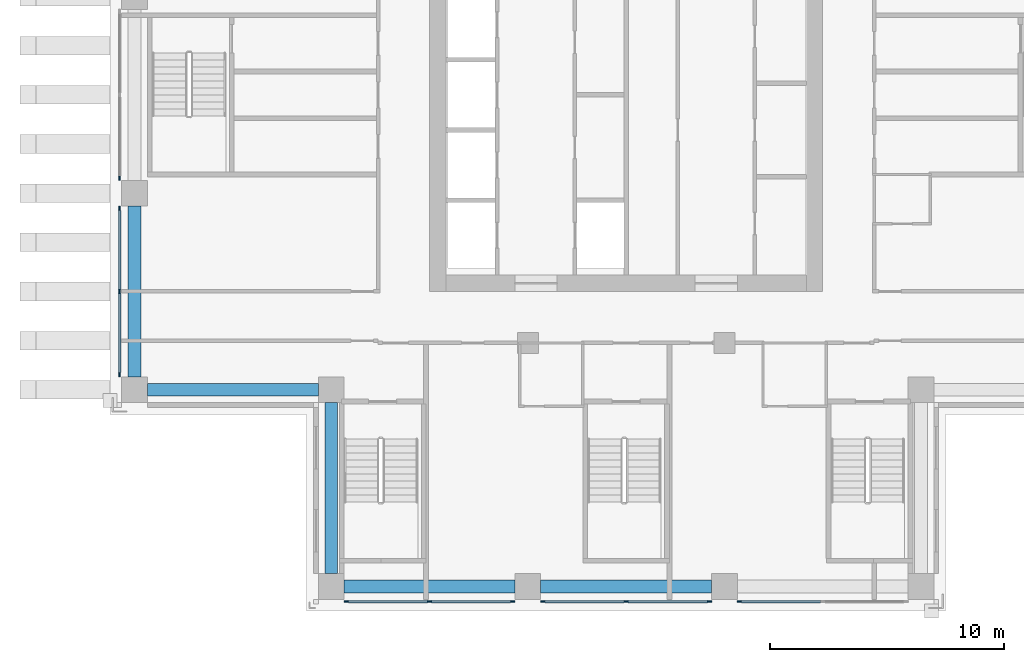
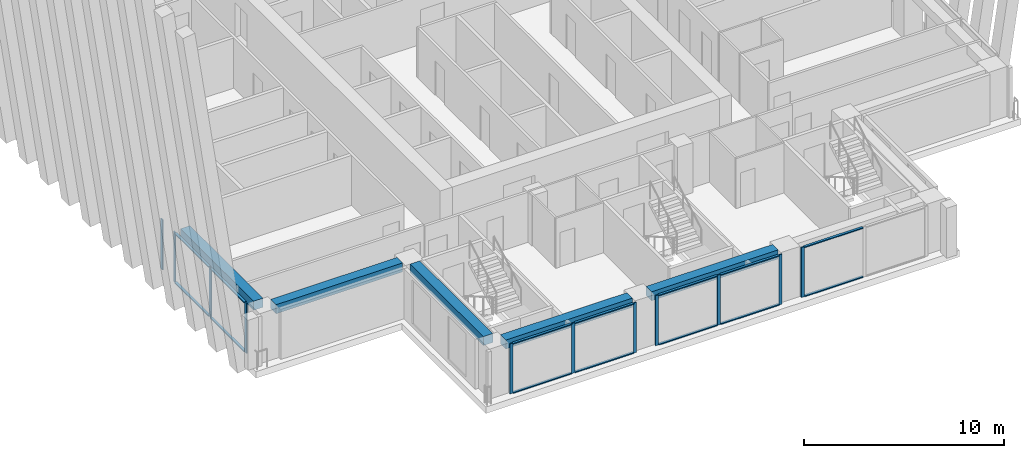
# One storey, part 2 of 15: 25 members, 5 beams, 5 elements without a shape of their own.
"""IFC4 building model written with IfcOpenShell, lengths in metres."""

from ifc_helpers import new_model, si_unit, direction, frame, origin, origin_2d, place, context, subcontext, project, spatial, rectangle, extrude, material, material_profile, profile_set, type_object, element, aggregate, save


model = new_model("IFC4")

# Units and contexts
model_context = context("Model", 3, precision=1e-05, world=origin(), true_north=direction((0.0, 1.0)))
body_context = subcontext(model_context, "Body", "Model", "MODEL_VIEW")
ifc_project = project(units=[si_unit("LENGTHUNIT", "METRE"), si_unit("AREAUNIT", "SQUARE_METRE"), si_unit("VOLUMEUNIT", "CUBIC_METRE"), si_unit("PLANEANGLEUNIT", "RADIAN"), si_unit("MASSUNIT", "GRAM", prefix="KILO")], contexts=[model_context])

# Site, building, storey
site_placement = place(None, origin())
site = spatial("IfcSite", under=ifc_project, at=site_placement, CompositionType="ELEMENT")
building_placement = place(site_placement, origin())
building = spatial("IfcBuilding", under=site, at=building_placement, Name="Vermilion Ogive Tower", CompositionType="ELEMENT")
storey_placement = place(building_placement, frame((0.0, 0.0, 153.800048828125)))
storey = spatial("IfcBuildingStorey", under=building, at=storey_placement, Name="L39", CompositionType="ELEMENT", Elevation=153.800048828125)

# Curtain wall, members
ifc_material_1 = material(Name="Low-iron laminated glazing in aluminium frame", Category="aluminium")
curtain_wall_type = type_object("IfcCurtainWallType", Name="Curtain wall CW7", PredefinedType="NOTDEFINED", material=ifc_material_1)
curtain_wall_1_placement = place(storey_placement, origin())
curtain_wall_1 = element("IfcCurtainWall", 1, at=curtain_wall_1_placement, inside=storey, type_object=curtain_wall_type, Name="Glazed skin S1", PredefinedType="NOTDEFINED")
ifc_material_2 = material(Name="Aluminium mullion", Category="aluminium")
ifc_material_profile_1 = material_profile(ifc_material_2, rectangle(XDim=0.06005859375, YDim=0.179931640625, at=origin_2d()), Name="AL 60x180")
ifc_profile_set_1 = profile_set([ifc_material_profile_1], Name="Aluminium mullion")
member_type_1 = type_object("IfcMemberType", Name="CW7 mullion 60x180", PredefinedType="MULLION", material=ifc_profile_set_1)
member_1_placement = place(storey_placement, frame((-11.9599609375, -21.64990234375, 0.0), z_axis=(0.0, 0.0, 1.0), x_axis=(0.0, 1.0, 0.0)))
member_1 = element("IfcMember", 2, at=member_1_placement, type_object=member_type_1, Name="CW7-S1 mullion 1", PredefinedType="MULLION", context=body_context, shape_type="SweptSolid", body=[
    extrude(rectangle(XDim=0.06005859375, YDim=0.179931640625, at=origin_2d()), origin(), (0.0, 0.0, 1.0), 3.050048828125),
])
member_2_placement = place(storey_placement, frame((-8.39990234375, -21.64990234375, 0.0), z_axis=(0.0, 0.0, 1.0), x_axis=(0.0, 1.0, 0.0)))
member_2 = element("IfcMember", 3, at=member_2_placement, type_object=member_type_1, Name="CW7-S1 mullion 2", PredefinedType="MULLION", context=body_context, shape_type="SweptSolid", body=[
    extrude(rectangle(XDim=0.06005859375, YDim=0.179931640625, at=origin_2d()), origin(), (0.0, 0.0, 1.0), 3.050048828125),
])
member_3_placement = place(storey_placement, frame((-4.840087890625, -21.64990234375, 0.0), z_axis=(0.0, 0.0, 1.0), x_axis=(0.0, 1.0, 0.0)))
member_3 = element("IfcMember", 4, at=member_3_placement, type_object=member_type_1, Name="CW7-S1 mullion 3", PredefinedType="MULLION", context=body_context, shape_type="SweptSolid", body=[
    extrude(rectangle(XDim=0.06005859375, YDim=0.179931640625, at=origin_2d()), origin(), (0.0, 0.0, 1.0), 3.050048828125),
])

curtain_wall_2_placement = place(storey_placement, origin())
curtain_wall_2 = element("IfcCurtainWall", 5, at=curtain_wall_2_placement, inside=storey, type_object=curtain_wall_type, Name="Glazed skin S2", PredefinedType="NOTDEFINED")
member_4_placement = place(storey_placement, frame((-3.56005859375, -21.64990234375, 0.0), z_axis=(0.0, 0.0, 1.0), x_axis=(0.0, 1.0, 0.0)))
member_4 = element("IfcMember", 6, at=member_4_placement, type_object=member_type_1, Name="CW7-S2 mullion 1", PredefinedType="MULLION", context=body_context, shape_type="SweptSolid", body=[
    extrude(rectangle(XDim=0.06005859375, YDim=0.179931640625, at=origin_2d()), origin(), (0.0, 0.0, 1.0), 3.050048828125),
])
member_5_placement = place(storey_placement, frame((0.0, -21.64990234375, 0.0), z_axis=(0.0, 0.0, 1.0), x_axis=(0.0, 1.0, 0.0)))
member_5 = element("IfcMember", 7, at=member_5_placement, type_object=member_type_1, Name="CW7-S2 mullion 2", PredefinedType="MULLION", context=body_context, shape_type="SweptSolid", body=[
    extrude(rectangle(XDim=0.06005859375, YDim=0.179931640625, at=origin_2d()), origin(), (0.0, 0.0, 1.0), 3.050048828125),
])
member_6_placement = place(storey_placement, frame((3.56005859375, -21.64990234375, 0.0), z_axis=(0.0, 0.0, 1.0), x_axis=(0.0, 1.0, 0.0)))
member_6 = element("IfcMember", 8, at=member_6_placement, type_object=member_type_1, Name="CW7-S2 mullion 3", PredefinedType="MULLION", context=body_context, shape_type="SweptSolid", body=[
    extrude(rectangle(XDim=0.06005859375, YDim=0.179931640625, at=origin_2d()), origin(), (0.0, 0.0, 1.0), 3.050048828125),
])

# Curtain wall, member
curtain_wall_3_placement = place(storey_placement, origin())
curtain_wall_3 = element("IfcCurtainWall", 9, at=curtain_wall_3_placement, inside=storey, type_object=curtain_wall_type, Name="Glazed skin S3", PredefinedType="NOTDEFINED")
member_7_placement = place(storey_placement, frame((4.840087890625, -21.64990234375, 0.0), z_axis=(0.0, 0.0, 1.0), x_axis=(0.0, 1.0, 0.0)))
member_7 = element("IfcMember", 10, at=member_7_placement, type_object=member_type_1, Name="CW7-S3 mullion 1", PredefinedType="MULLION", context=body_context, shape_type="SweptSolid", body=[
    extrude(rectangle(XDim=0.06005859375, YDim=0.179931640625, at=origin_2d()), origin(), (0.0, 0.0, 1.0), 3.050048828125),
])

curtain_wall_4_placement = place(storey_placement, origin())
curtain_wall_4 = element("IfcCurtainWall", 11, at=curtain_wall_4_placement, inside=storey, type_object=curtain_wall_type, Name="Glazed skin W2", PredefinedType="NOTDEFINED")
member_8_placement = place(storey_placement, frame((-21.64990234375, -3.56005859375, 0.0), z_axis=(0.0, 0.0, 1.0), x_axis=(1.0, 0.0, 0.0)))
member_8 = element("IfcMember", 12, at=member_8_placement, type_object=member_type_1, Name="CW7-W2 mullion 3", PredefinedType="MULLION", context=body_context, shape_type="SweptSolid", body=[
    extrude(rectangle(XDim=0.06005859375, YDim=0.179931640625, at=origin_2d()), origin(), (0.0, 0.0, 1.0), 3.050048828125),
])
aggregate(curtain_wall_4, [member_8])

# Curtain wall, members
curtain_wall_5_placement = place(storey_placement, origin())
curtain_wall_5 = element("IfcCurtainWall", 13, at=curtain_wall_5_placement, inside=storey, type_object=curtain_wall_type, Name="Glazed skin W3", PredefinedType="NOTDEFINED")
member_9_placement = place(storey_placement, frame((-21.64990234375, -4.840087890625, 0.0), z_axis=(0.0, 0.0, 1.0), x_axis=(1.0, 0.0, 0.0)))
member_9 = element("IfcMember", 14, at=member_9_placement, type_object=member_type_1, Name="CW7-W3 mullion 1", PredefinedType="MULLION", context=body_context, shape_type="SweptSolid", body=[
    extrude(rectangle(XDim=0.06005859375, YDim=0.179931640625, at=origin_2d()), origin(), (0.0, 0.0, 1.0), 3.050048828125),
])
member_10_placement = place(storey_placement, frame((-21.64990234375, -8.39990234375, 0.0), z_axis=(0.0, 0.0, 1.0), x_axis=(1.0, 0.0, 0.0)))
member_10 = element("IfcMember", 15, at=member_10_placement, type_object=member_type_1, Name="CW7-W3 mullion 2", PredefinedType="MULLION", context=body_context, shape_type="SweptSolid", body=[
    extrude(rectangle(XDim=0.06005859375, YDim=0.179931640625, at=origin_2d()), origin(), (0.0, 0.0, 1.0), 3.050048828125),
])
member_11_placement = place(storey_placement, frame((-21.64990234375, -11.9599609375, 0.0), z_axis=(0.0, 0.0, 1.0), x_axis=(1.0, 0.0, 0.0)))
member_11 = element("IfcMember", 16, at=member_11_placement, type_object=member_type_1, Name="CW7-W3 mullion 3", PredefinedType="MULLION", context=body_context, shape_type="SweptSolid", body=[
    extrude(rectangle(XDim=0.06005859375, YDim=0.179931640625, at=origin_2d()), origin(), (0.0, 0.0, 1.0), 3.050048828125),
])

# Member
ifc_material_3 = material(Name="Aluminium transom", Category="aluminium")
ifc_material_profile_2 = material_profile(ifc_material_3, rectangle(XDim=0.139892578125, YDim=0.06005859375, at=origin_2d()), Name="AL 60x140")
ifc_profile_set_2 = profile_set([ifc_material_profile_2], Name="Aluminium transom")
member_type_2 = type_object("IfcMemberType", Name="CW7 transom 60x140", PredefinedType="USERDEFINED", material=ifc_profile_set_2)
member_12_placement = place(storey_placement, frame((-11.8701171875, -21.64990234375, 0.030029296875), z_axis=(1.0, 0.0, 0.0), x_axis=(0.0, 1.0, 0.0)))
member_12 = element("IfcMember", 17, at=member_12_placement, type_object=member_type_2, Name="CW7-S1 transom 1.1", ObjectType="TRANSOM", PredefinedType="USERDEFINED", context=body_context, shape_type="SweptSolid", body=[
    extrude(rectangle(XDim=0.139892578125, YDim=0.06005859375, at=origin_2d()), origin(), (0.0, 0.0, 1.0), 3.380126953125),
])

member_13_placement = place(storey_placement, frame((-11.8701171875, -21.64990234375, 3.02001953125), z_axis=(1.0, 0.0, 0.0), x_axis=(0.0, 1.0, 0.0)))
member_13 = element("IfcMember", 18, at=member_13_placement, type_object=member_type_2, Name="CW7-S1 transom 1.2", ObjectType="TRANSOM", PredefinedType="USERDEFINED", context=body_context, shape_type="SweptSolid", body=[
    extrude(rectangle(XDim=0.139892578125, YDim=0.06005859375, at=origin_2d()), origin(), (0.0, 0.0, 1.0), 3.380126953125),
])

member_14_placement = place(storey_placement, frame((-8.31005859375, -21.64990234375, 0.030029296875), z_axis=(1.0, 0.0, 0.0), x_axis=(0.0, 1.0, 0.0)))
member_14 = element("IfcMember", 19, at=member_14_placement, type_object=member_type_2, Name="CW7-S1 transom 2.1", ObjectType="TRANSOM", PredefinedType="USERDEFINED", context=body_context, shape_type="SweptSolid", body=[
    extrude(rectangle(XDim=0.139892578125, YDim=0.06005859375, at=origin_2d()), origin(), (0.0, 0.0, 1.0), 3.380126953125),
])

member_15_placement = place(storey_placement, frame((-8.31005859375, -21.64990234375, 3.02001953125), z_axis=(1.0, 0.0, 0.0), x_axis=(0.0, 1.0, 0.0)))
member_15 = element("IfcMember", 20, at=member_15_placement, type_object=member_type_2, Name="CW7-S1 transom 2.2", ObjectType="TRANSOM", PredefinedType="USERDEFINED", context=body_context, shape_type="SweptSolid", body=[
    extrude(rectangle(XDim=0.139892578125, YDim=0.06005859375, at=origin_2d()), origin(), (0.0, 0.0, 1.0), 3.380126953125),
])

aggregate(curtain_wall_1, [member_1, member_2, member_3, member_12, member_13, member_14, member_15])

member_16_placement = place(storey_placement, frame((-3.469970703125, -21.64990234375, 0.030029296875), z_axis=(1.0, 0.0, 0.0), x_axis=(0.0, 1.0, 0.0)))
member_16 = element("IfcMember", 21, at=member_16_placement, type_object=member_type_2, Name="CW7-S2 transom 1.1", ObjectType="TRANSOM", PredefinedType="USERDEFINED", context=body_context, shape_type="SweptSolid", body=[
    extrude(rectangle(XDim=0.139892578125, YDim=0.06005859375, at=origin_2d()), origin(), (0.0, 0.0, 1.0), 3.3798828125),
])

member_17_placement = place(storey_placement, frame((-3.469970703125, -21.64990234375, 3.02001953125), z_axis=(1.0, 0.0, 0.0), x_axis=(0.0, 1.0, 0.0)))
member_17 = element("IfcMember", 22, at=member_17_placement, type_object=member_type_2, Name="CW7-S2 transom 1.2", ObjectType="TRANSOM", PredefinedType="USERDEFINED", context=body_context, shape_type="SweptSolid", body=[
    extrude(rectangle(XDim=0.139892578125, YDim=0.06005859375, at=origin_2d()), origin(), (0.0, 0.0, 1.0), 3.3798828125),
])

member_18_placement = place(storey_placement, frame((0.090087890625, -21.64990234375, 0.030029296875), z_axis=(1.0, 0.0, 0.0), x_axis=(0.0, 1.0, 0.0)))
member_18 = element("IfcMember", 23, at=member_18_placement, type_object=member_type_2, Name="CW7-S2 transom 2.1", ObjectType="TRANSOM", PredefinedType="USERDEFINED", context=body_context, shape_type="SweptSolid", body=[
    extrude(rectangle(XDim=0.139892578125, YDim=0.06005859375, at=origin_2d()), origin(), (0.0, 0.0, 1.0), 3.3798828125),
])

member_19_placement = place(storey_placement, frame((0.090087890625, -21.64990234375, 3.02001953125), z_axis=(1.0, 0.0, 0.0), x_axis=(0.0, 1.0, 0.0)))
member_19 = element("IfcMember", 24, at=member_19_placement, type_object=member_type_2, Name="CW7-S2 transom 2.2", ObjectType="TRANSOM", PredefinedType="USERDEFINED", context=body_context, shape_type="SweptSolid", body=[
    extrude(rectangle(XDim=0.139892578125, YDim=0.06005859375, at=origin_2d()), origin(), (0.0, 0.0, 1.0), 3.3798828125),
])

aggregate(curtain_wall_2, [member_4, member_5, member_6, member_16, member_17, member_18, member_19])

member_20_placement = place(storey_placement, frame((4.929931640625, -21.64990234375, 0.030029296875), z_axis=(1.0, 0.0, 0.0), x_axis=(0.0, 1.0, 0.0)))
member_20 = element("IfcMember", 25, at=member_20_placement, type_object=member_type_2, Name="CW7-S3 transom 1.1", ObjectType="TRANSOM", PredefinedType="USERDEFINED", context=body_context, shape_type="SweptSolid", body=[
    extrude(rectangle(XDim=0.139892578125, YDim=0.06005859375, at=origin_2d()), origin(), (0.0, 0.0, 1.0), 3.380126953125),
])

member_21_placement = place(storey_placement, frame((4.929931640625, -21.64990234375, 3.02001953125), z_axis=(1.0, 0.0, 0.0), x_axis=(0.0, 1.0, 0.0)))
member_21 = element("IfcMember", 26, at=member_21_placement, type_object=member_type_2, Name="CW7-S3 transom 1.2", ObjectType="TRANSOM", PredefinedType="USERDEFINED", context=body_context, shape_type="SweptSolid", body=[
    extrude(rectangle(XDim=0.139892578125, YDim=0.06005859375, at=origin_2d()), origin(), (0.0, 0.0, 1.0), 3.380126953125),
])

aggregate(curtain_wall_3, [member_7, member_20, member_21])

member_22_placement = place(storey_placement, frame((-21.64990234375, -4.929931640625, 0.030029296875), z_axis=(0.0, -1.0, 0.0), x_axis=(1.0, 0.0, 0.0)))
member_22 = element("IfcMember", 27, at=member_22_placement, type_object=member_type_2, Name="CW7-W3 transom 1.1", ObjectType="TRANSOM", PredefinedType="USERDEFINED", context=body_context, shape_type="SweptSolid", body=[
    extrude(rectangle(XDim=0.139892578125, YDim=0.06005859375, at=origin_2d()), origin(), (0.0, 0.0, 1.0), 3.380126953125),
])

member_23_placement = place(storey_placement, frame((-21.64990234375, -4.929931640625, 3.02001953125), z_axis=(0.0, -1.0, 0.0), x_axis=(1.0, 0.0, 0.0)))
member_23 = element("IfcMember", 28, at=member_23_placement, type_object=member_type_2, Name="CW7-W3 transom 1.2", ObjectType="TRANSOM", PredefinedType="USERDEFINED", context=body_context, shape_type="SweptSolid", body=[
    extrude(rectangle(XDim=0.139892578125, YDim=0.06005859375, at=origin_2d()), origin(), (0.0, 0.0, 1.0), 3.380126953125),
])

member_24_placement = place(storey_placement, frame((-21.64990234375, -8.489990234375, 0.030029296875), z_axis=(0.0, -1.0, 0.0), x_axis=(1.0, 0.0, 0.0)))
member_24 = element("IfcMember", 29, at=member_24_placement, type_object=member_type_2, Name="CW7-W3 transom 2.1", ObjectType="TRANSOM", PredefinedType="USERDEFINED", context=body_context, shape_type="SweptSolid", body=[
    extrude(rectangle(XDim=0.139892578125, YDim=0.06005859375, at=origin_2d()), origin(), (0.0, 0.0, 1.0), 3.380126953125),
])

member_25_placement = place(storey_placement, frame((-21.64990234375, -8.489990234375, 3.02001953125), z_axis=(0.0, -1.0, 0.0), x_axis=(1.0, 0.0, 0.0)))
member_25 = element("IfcMember", 30, at=member_25_placement, type_object=member_type_2, Name="CW7-W3 transom 2.2", ObjectType="TRANSOM", PredefinedType="USERDEFINED", context=body_context, shape_type="SweptSolid", body=[
    extrude(rectangle(XDim=0.139892578125, YDim=0.06005859375, at=origin_2d()), origin(), (0.0, 0.0, 1.0), 3.380126953125),
])

aggregate(curtain_wall_5, [member_9, member_10, member_11, member_22, member_23, member_24, member_25])

# Beams
ifc_material_4 = material(Name="Concrete B45", Category="concrete")
ifc_material_profile_3 = material_profile(ifc_material_4, rectangle(XDim=0.550048828125, YDim=0.550048828125, at=origin_2d()), Name="550 x 550")
ifc_profile_set_3 = profile_set([ifc_material_profile_3], Name="Concrete B45")
beam_type = type_object("IfcBeamType", Name="Edge beam 550 x 550 B45", PredefinedType="BEAM", material=ifc_profile_set_3)
beam_1_placement = place(storey_placement, frame((-12.050048828125, -21.0, 2.77490234375), z_axis=(1.0, 0.0, 0.0), x_axis=(0.0, 1.0, 0.0)))
element("IfcBeam", 31, at=beam_1_placement, inside=storey, type_object=beam_type, Name="L39-EB-1", PredefinedType="BEAM", context=body_context, shape_type="SweptSolid", body=[
    extrude(rectangle(XDim=0.550048828125, YDim=0.550048828125, at=origin_2d()), origin(), (0.0, 0.0, 1.0), 7.300048828125),
])
beam_2_placement = place(storey_placement, frame((-3.64990234375, -21.0, 2.77490234375), z_axis=(1.0, 0.0, 0.0), x_axis=(0.0, 1.0, 0.0)))
element("IfcBeam", 32, at=beam_2_placement, inside=storey, type_object=beam_type, Name="L39-EB-2", PredefinedType="BEAM", context=body_context, shape_type="SweptSolid", body=[
    extrude(rectangle(XDim=0.550048828125, YDim=0.550048828125, at=origin_2d()), origin(), (0.0, 0.0, 1.0), 7.2998046875),
])
for number, where, z_axis, x_axis, name in (
    (33, (-21.0, -4.75, 2.77490234375), (0.0, -1.0, 0.0), (1.0, 0.0, 0.0), "L39-EB-15"),
    (34, (-20.449951171875, -12.60009765625, 2.77490234375), (1.0, 0.0, 0.0), (0.0, 1.0, 0.0), "L39-EB-16"),
    (35, (-12.60009765625, -13.14990234375, 2.77490234375), (0.0, -1.0, 0.0), (1.0, 0.0, 0.0), "L39-EB-17"),
):
    element("IfcBeam", number, at=place(storey_placement, frame(where, z_axis=z_axis, x_axis=x_axis)), inside=storey, type_object=beam_type, Name=name, PredefinedType="BEAM", context=body_context, shape_type="SweptSolid", body=[
        extrude(rectangle(XDim=0.550048828125, YDim=0.550048828125, at=origin_2d()), origin(), (0.0, 0.0, 1.0), 7.300048828125),
    ])

save(model, "model.ifc")
